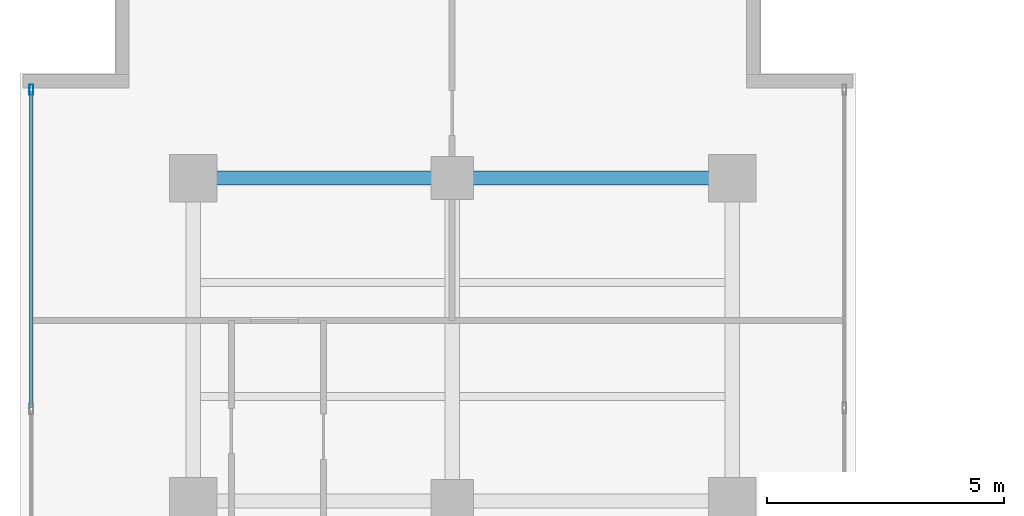
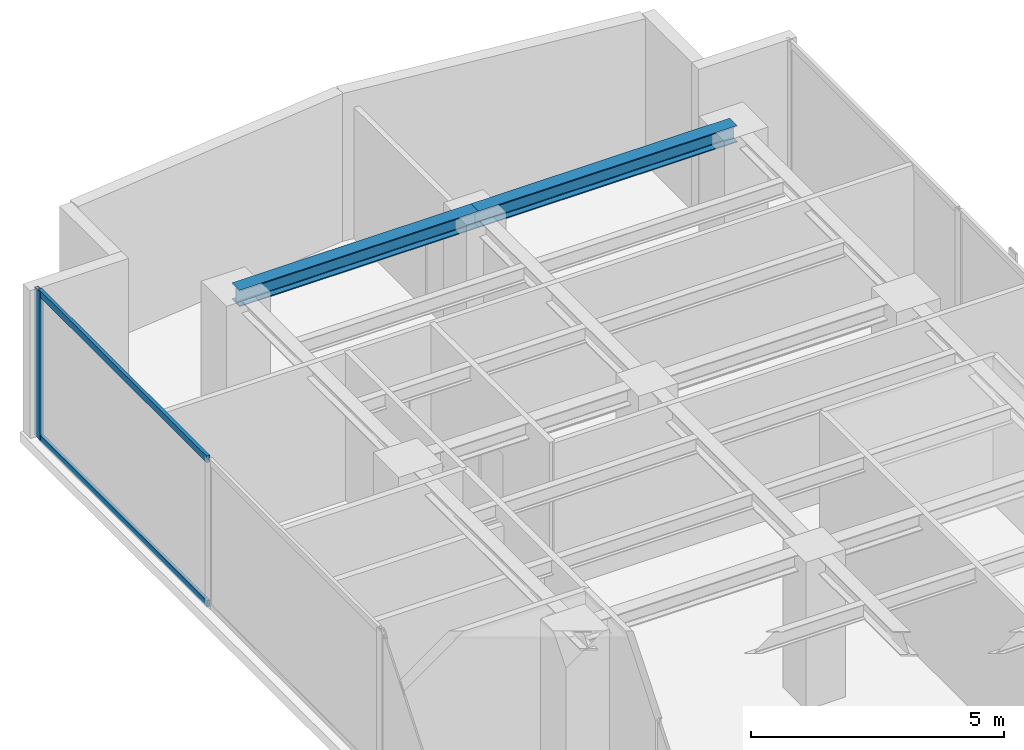
# One storey, part 14 of 24: 3 members, 2 beams, 1 element without a shape of its own.
"""IFC4 building model written with IfcOpenShell, lengths in metres."""

from ifc_helpers import new_model, si_unit, direction, frame, origin, origin_with_axes, origin_2d, place, context, subcontext, project, spatial, hollow_rectangle, i_section, extrude, source, transform, mapped, material, layer, layer_set, material_profile, profile_set, type_object, element, aggregate, save


model = new_model("IFC4")

# Units and contexts
model_context = context("Model", 3, precision=1e-05, world=origin(), true_north=direction((0.0, 1.0)))
body_context = subcontext(model_context, "Body", "Model", "MODEL_VIEW")
ifc_project = project(units=[si_unit("LENGTHUNIT", "METRE"), si_unit("AREAUNIT", "SQUARE_METRE"), si_unit("VOLUMEUNIT", "CUBIC_METRE"), si_unit("PLANEANGLEUNIT", "RADIAN"), si_unit("MASSUNIT", "GRAM", prefix="KILO")], contexts=[model_context])

# Site, building, storey
site_placement = place(None, origin())
site = spatial("IfcSite", under=ifc_project, at=site_placement, CompositionType="ELEMENT")
building_placement = place(site_placement, origin())
building = spatial("IfcBuilding", under=site, at=building_placement, Name="Kolvaren Waterfront Exchange", CompositionType="ELEMENT")
storey_placement = place(building_placement, frame((0.0, 0.0, 208.300048828125)))
storey = spatial("IfcBuildingStorey", under=building, at=storey_placement, Name="L53", CompositionType="ELEMENT", Elevation=208.300048828125)

# Beams
ifc_material_1 = material(Name="Steel S355", Category="steel")
ifc_material_profile_1 = material_profile(ifc_material_1, i_section(OverallWidth=0.300048828125, OverallDepth=0.39990234375, WebThickness=0.013427734375, FlangeThickness=0.02392578125, FilletRadius=0.027099609375, at=origin_2d()), Name="HEB400")
ifc_profile_set_1 = profile_set([ifc_material_profile_1], Name="Steel S355")
beam_type = type_object("IfcBeamType", Name="STR-BM-HEB400", PredefinedType="BEAM", material=ifc_profile_set_1)
beam_1_placement = place(storey_placement, frame((7.449951171875, 44.60009765625, 3.35986328125), z_axis=(1.0, 0.0, 0.0), x_axis=(0.0, 1.0, 0.0)))
element("IfcBeam", 1, at=beam_1_placement, inside=storey, type_object=beam_type, Name="L53 north-arm girder 4A", PredefinedType="BEAM", context=body_context, shape_type="SweptSolid", body=[
    extrude(i_section(OverallWidth=0.300048828125, OverallDepth=0.39990234375, WebThickness=0.013427734375, FlangeThickness=0.02392578125, FilletRadius=0.027099609375, at=origin_2d()), origin(), (0.0, 0.0, 1.0), 5.449951171875),
])
beam_2_placement = place(storey_placement, frame((12.89990234375, 44.60009765625, 3.35986328125), z_axis=(1.0, 0.0, 0.0), x_axis=(0.0, 1.0, 0.0)))
element("IfcBeam", 2, at=beam_2_placement, inside=storey, type_object=beam_type, Name="L53 north-arm girder 4B", PredefinedType="BEAM", context=body_context, shape_type="SweptSolid", body=[
    extrude(i_section(OverallWidth=0.300048828125, OverallDepth=0.39990234375, WebThickness=0.013427734375, FlangeThickness=0.02392578125, FilletRadius=0.027099609375, at=origin_2d()), origin(), (0.0, 0.0, 1.0), 5.900146484375),
])

# Curtain wall, members
ifc_material_2 = material(Name="Anodised aluminium 6063-T6", Category="aluminium")
ifc_layer = layer(ifc_material_2, 0.219970703125, Name="Anodised aluminium 6063-T6")
ifc_layer_set = layer_set([ifc_layer], Name="Anodised aluminium 6063-T6")
curtain_wall_type = type_object("IfcCurtainWallType", Name="ARC-CW-SYS2", PredefinedType="USERDEFINED", material=ifc_layer_set)
curtain_wall_placement = place(storey_placement, origin())
curtain_wall = element("IfcCurtainWall", 3, at=curtain_wall_placement, inside=storey, type_object=curtain_wall_type, Name="L53 stick curtain wall CW2 (CW-L53-W)", ObjectType="STICK CURTAIN WALL", PredefinedType="USERDEFINED")
ifc_material_profile_2 = material_profile(ifc_material_2, hollow_rectangle(XDim=0.080078125, YDim=0.219970703125, WallThickness=0.0048828125, at=origin_2d()), Name="ALU-MUL-220x80x5")
ifc_profile_set_2 = profile_set([ifc_material_profile_2], Name="Anodised aluminium 6063-T6")
member_type_1 = type_object("IfcMemberType", Name="ARC-CWM-220", PredefinedType="MULLION", material=ifc_profile_set_2)
shared_shape_1 = source(origin_with_axes(), body_context, "Body", "SweptSolid", [
    extrude(hollow_rectangle(XDim=0.080078125, YDim=0.219970703125, WallThickness=0.0048828125, at=origin_2d()), origin(), (0.0, 0.0, 1.0), 3.56005859375),
])
member_1_placement = place(storey_placement, frame((4.0400390625, 46.4599609375, 0.0), z_axis=(0.0, 0.0, 1.0), x_axis=(-1.0, 0.0, 0.0)))
member_1 = element("IfcMember", 4, at=member_1_placement, type_object=member_type_1, Name="CW2 mullion 7", PredefinedType="MULLION", context=body_context, shape_type="MappedRepresentation", body=[
    mapped(shared_shape_1, transform((0.0, 0.0, 0.0), x_axis=(1.0, 0.0, 0.0), y_axis=(0.0, 1.0, 0.0), z_axis=(0.0, 0.0, 1.0), scale=1.0)),
])
ifc_material_profile_3 = material_profile(ifc_material_2, hollow_rectangle(XDim=0.074951171875, YDim=0.159912109375, WallThickness=0.00439453125, at=origin_2d()), Name="ALU-TRN-160x75x4.5")
ifc_profile_set_3 = profile_set([ifc_material_profile_3], Name="Anodised aluminium 6063-T6")
member_type_2 = type_object("IfcMemberType", Name="ARC-CWT-160", PredefinedType="USERDEFINED", material=ifc_profile_set_3)
shared_shape_2 = source(origin_with_axes(), body_context, "Body", "SweptSolid", [
    extrude(hollow_rectangle(XDim=0.074951171875, YDim=0.159912109375, WallThickness=0.00439453125, at=origin_2d()), origin(), (0.0, 0.0, 1.0), 6.646484375),
])
member_2_placement = place(storey_placement, frame((4.0400390625, 39.7734375, 0.037353515625), z_axis=(0.0, 1.0, 0.0), x_axis=(-1.0, 0.0, 0.0)))
member_2 = element("IfcMember", 5, at=member_2_placement, type_object=member_type_2, Name="CW2 transom 6.1", ObjectType="TRANSOM", PredefinedType="USERDEFINED", context=body_context, shape_type="MappedRepresentation", body=[
    mapped(shared_shape_2, transform((0.0, 0.0, 0.0), x_axis=(1.0, 0.0, 0.0), y_axis=(0.0, 1.0, 0.0), z_axis=(0.0, 0.0, 1.0), scale=1.0)),
])
member_3_placement = place(storey_placement, frame((4.0400390625, 39.7734375, 3.5224609375), z_axis=(0.0, 1.0, 0.0), x_axis=(-1.0, 0.0, 0.0)))
member_3 = element("IfcMember", 6, at=member_3_placement, type_object=member_type_2, Name="CW2 transom 6.2", ObjectType="TRANSOM", PredefinedType="USERDEFINED", context=body_context, shape_type="MappedRepresentation", body=[
    mapped(shared_shape_2, transform((0.0, 0.0, 0.0), x_axis=(1.0, 0.0, 0.0), y_axis=(0.0, 1.0, 0.0), z_axis=(0.0, 0.0, 1.0), scale=1.0)),
])
aggregate(curtain_wall, [member_1, member_2, member_3])

save(model, "model.ifc")
